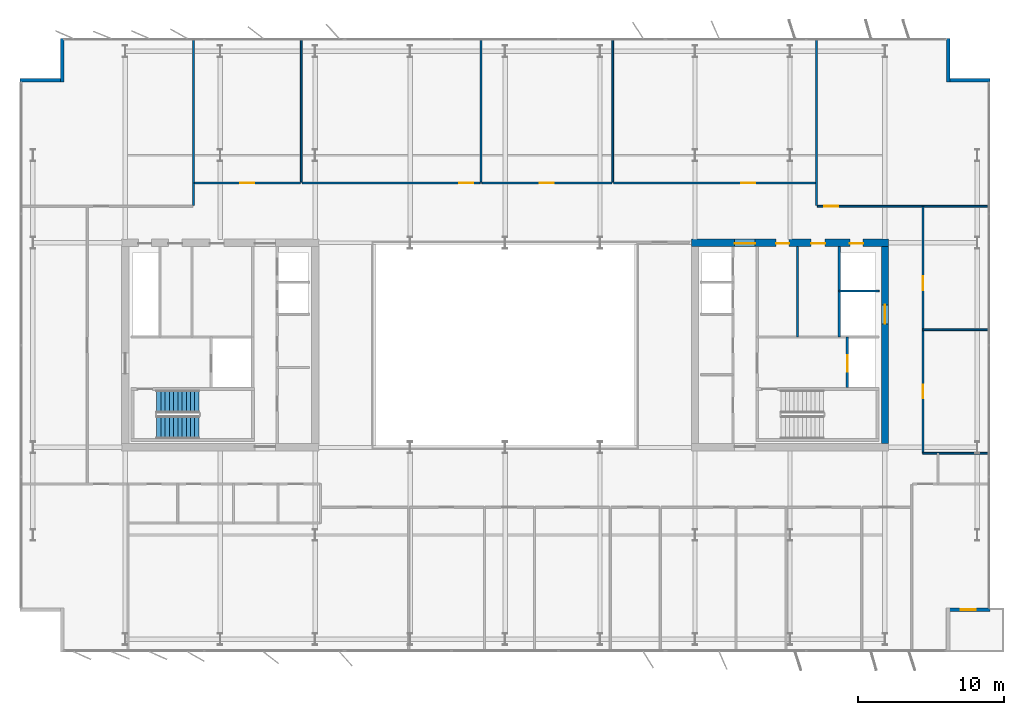
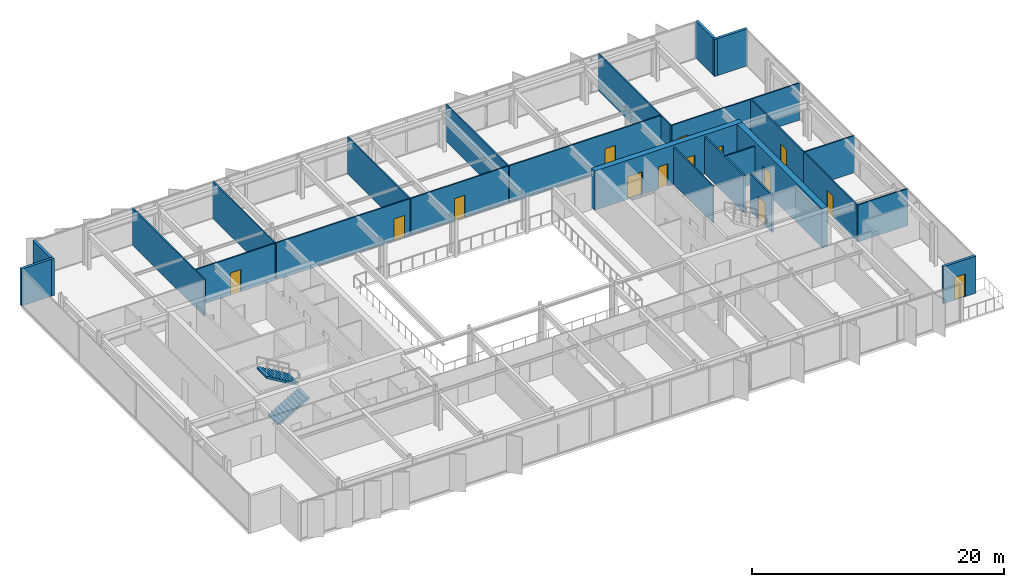
# One storey, part 19 of 24: 25 walls, 14 doors, 2 stair flights, 14 openings, 1 element without a shape of its own.
"""IFC4 building model written with IfcOpenShell, lengths in metres."""

from ifc_helpers import new_model, si_unit, direction, frame, frame_2d, origin, place, context, subcontext, project, spatial, polyline, rectangle, outline, extrude, material, layer, layer_set, type_object, element, fill, aggregate, save


model = new_model("IFC4")

# Units and contexts
model_context = context("Model", 3, precision=1e-05, world=origin(), true_north=direction((0.0, 1.0)))
body_context = subcontext(model_context, "Body", "Model", "MODEL_VIEW")
ifc_project = project(units=[si_unit("LENGTHUNIT", "METRE"), si_unit("AREAUNIT", "SQUARE_METRE"), si_unit("VOLUMEUNIT", "CUBIC_METRE"), si_unit("PLANEANGLEUNIT", "RADIAN"), si_unit("MASSUNIT", "GRAM", prefix="KILO")], contexts=[model_context])

# Site, building, storey
site_placement = place(None, origin())
site = spatial("IfcSite", under=ifc_project, at=site_placement, CompositionType="ELEMENT")
building_placement = place(site_placement, origin())
building = spatial("IfcBuilding", under=site, at=building_placement, Name="Putna Gate Headquarters", CompositionType="ELEMENT")
storey_placement = place(building_placement, frame((0.0, 0.0, 244.199951171875)))
storey = spatial("IfcBuildingStorey", under=building, at=storey_placement, Name="L61", CompositionType="ELEMENT", Elevation=244.199951171875)

# Wall, openings, doors
ifc_material_1 = material(Name="Concrete C50/60", Category="concrete")
ifc_layer_1 = layer(ifc_material_1, 0.5)
ifc_layer_set_1 = layer_set([ifc_layer_1], Name="Concrete C50/60")
wall_type_1 = type_object("IfcWallType", Name="WALL-CORE-500", PredefinedType="SHEAR", material=ifc_layer_set_1)
wall_1_placement = place(storey_placement, frame((51.75, 33.0, 0.0), z_axis=(0.0, 0.0, 1.0), x_axis=(1.0, 0.0, 0.0)))
wall_1 = element("IfcWall", 1, at=wall_1_placement, inside=storey, type_object=wall_type_1, Name="L61 EC Split Core Shear Wall N", PredefinedType="SHEAR", context=body_context, shape_type="SweptSolid", body=[
    extrude(rectangle(XDim=13.5, YDim=0.5, at=frame_2d((6.75, 0.0))), origin(), (0.0, 0.0, 1.0), 3.800048828125),
])
opening_1_placement = place(wall_1_placement, frame((2.969970703125, 0.0, 0.0)))
opening_1 = element("IfcOpeningElement", 2, at=opening_1_placement, cuts=wall_1, Name="Opening FDD-140", PredefinedType="OPENING", context=body_context, shape_type="SweptSolid", body=[
    extrude(rectangle(XDim=1.39990234375, YDim=2.199951171875, at=frame_2d((0.699951171875, 1.10009765625))), frame((0.0, 0.260009765625, 0.0), z_axis=(0.0, -1.0, 0.0), x_axis=(1.0, 0.0, 0.0)), (0.0, 0.0, 1.0), 0.52001953125),
])
opening_2_placement = place(wall_1_placement, frame((10.85009765625, 0.0, 0.0)))
opening_2 = element("IfcOpeningElement", 3, at=opening_2_placement, cuts=wall_1, Name="Opening RD-90", PredefinedType="OPENING", context=body_context, shape_type="SweptSolid", body=[
    extrude(rectangle(XDim=0.89990234375, YDim=2.14990234375, at=frame_2d((0.449951171875, 1.074951171875))), frame((0.0, 0.260009765625, 0.0), z_axis=(0.0, -1.0, 0.0), x_axis=(1.0, 0.0, 0.0)), (0.0, 0.0, 1.0), 0.52001953125),
])
opening_3_placement = place(wall_1_placement, frame((5.800048828125, 0.0, 0.0)))
opening_3 = element("IfcOpeningElement", 4, at=opening_3_placement, cuts=wall_1, Name="Opening IDS-90", PredefinedType="OPENING", context=body_context, shape_type="SweptSolid", body=[
    extrude(rectangle(XDim=0.89990234375, YDim=2.14990234375, at=frame_2d((0.449951171875, 1.074951171875))), frame((0.0, 0.260009765625, 0.0), z_axis=(0.0, -1.0, 0.0), x_axis=(1.0, 0.0, 0.0)), (0.0, 0.0, 1.0), 0.52001953125),
])
opening_4_placement = place(wall_1_placement, frame((8.199951171875, 0.0, 0.0)))
opening_4 = element("IfcOpeningElement", 5, at=opening_4_placement, cuts=wall_1, Name="Opening IDS-95", PredefinedType="OPENING", context=body_context, shape_type="SweptSolid", body=[
    extrude(rectangle(XDim=0.949951171875, YDim=2.14990234375, at=frame_2d((0.47509765625, 1.074951171875))), frame((0.0, 0.260009765625, 0.0), z_axis=(0.0, -1.0, 0.0), x_axis=(1.0, 0.0, 0.0)), (0.0, 0.0, 1.0), 0.52001953125),
])
ifc_material_2 = material(Name="Double steel fire door", Category="steel")
door_type_1 = type_object("IfcDoorType", Name="DOOR-FIRE-DBL-1400", OperationType="DOUBLE_DOOR_SINGLE_SWING", PredefinedType="DOOR", material=ifc_material_2)
door_1_placement = place(opening_1_placement, origin())
door_1 = element("IfcDoor", 6, at=door_1_placement, inside=storey, type_object=door_type_1, Name="L61 East Lift Lobby North Door", OperationType="DOUBLE_DOOR_SINGLE_SWING", OverallHeight=2.199951171875, OverallWidth=1.39990234375, PredefinedType="DOOR", context=body_context, shape_type="SweptSolid", body=[
    extrude(rectangle(XDim=1.39990234375, YDim=2.199951171875, at=frame_2d((0.699951171875, 1.10009765625))), frame((0.0, -0.02490234375, 0.0), z_axis=(0.0, -1.0, 0.0), x_axis=(1.0, 0.0, 0.0)), (0.0, 0.0, 1.0), 0.050048828125),
])
fill(opening_1, door_1)
ifc_material_3 = material(Name="Fire-rated utility door")
door_type_2 = type_object("IfcDoorType", Name="DOOR-INT-900", OperationType="NOTDEFINED", PredefinedType="DOOR", material=ifc_material_3)
door_2_placement = place(opening_3_placement, origin())
door_2 = element("IfcDoor", 7, at=door_2_placement, inside=storey, type_object=door_type_2, Name="L61 Telecoms Plant Door", OperationType="SINGLE_SWING_LEFT", OverallHeight=2.14990234375, OverallWidth=0.89990234375, PredefinedType="DOOR", context=body_context, shape_type="SweptSolid", body=[
    extrude(rectangle(XDim=0.89990234375, YDim=2.14990234375, at=frame_2d((0.449951171875, 1.074951171875))), frame((0.0, -0.02490234375, 0.0), z_axis=(0.0, -1.0, 0.0), x_axis=(1.0, 0.0, 0.0)), (0.0, 0.0, 1.0), 0.050048828125),
])
fill(opening_3, door_2)
ifc_material_4 = material(Name="Fire-rated service timber door", Category="wood")
door_type_3 = type_object("IfcDoorType", Name="DOOR-INT-950", OperationType="NOTDEFINED", PredefinedType="DOOR", material=ifc_material_4)
door_3_placement = place(opening_4_placement, origin())
door_3 = element("IfcDoor", 8, at=door_3_placement, inside=storey, type_object=door_type_3, Name="L61 Supplies Store Door", OperationType="SINGLE_SWING_RIGHT", OverallHeight=2.14990234375, OverallWidth=0.949951171875, PredefinedType="DOOR", context=body_context, shape_type="SweptSolid", body=[
    extrude(rectangle(XDim=0.949951171875, YDim=2.14990234375, at=frame_2d((0.47509765625, 1.074951171875))), frame((0.0, -0.02490234375, 0.0), z_axis=(0.0, -1.0, 0.0), x_axis=(1.0, 0.0, 0.0)), (0.0, 0.0, 1.0), 0.050048828125),
])
fill(opening_4, door_3)
ifc_material_5 = material(Name="Steel riser access fire door", Category="steel")
door_type_4 = type_object("IfcDoorType", Name="DOOR-RISER-900", OperationType="NOTDEFINED", PredefinedType="DOOR", material=ifc_material_5)
door_4_placement = place(opening_2_placement, origin())
door_4 = element("IfcDoor", 9, at=door_4_placement, inside=storey, type_object=door_type_4, Name="L61 East Riser Access Door", OperationType="SINGLE_SWING_LEFT", OverallHeight=2.14990234375, OverallWidth=0.89990234375, PredefinedType="DOOR", context=body_context, shape_type="SweptSolid", body=[
    extrude(rectangle(XDim=0.89990234375, YDim=2.14990234375, at=frame_2d((0.449951171875, 1.074951171875))), frame((0.0, -0.02490234375, 0.0), z_axis=(0.0, -1.0, 0.0), x_axis=(1.0, 0.0, 0.0)), (0.0, 0.0, 1.0), 0.050048828125),
])
fill(opening_2, door_4)

# Wall, opening, door
wall_2_placement = place(storey_placement, frame((65.0, 19.25, 0.0), z_axis=(0.0, 0.0, 1.0), x_axis=(0.0, 1.0, 0.0)))
wall_2 = element("IfcWall", 10, at=wall_2_placement, inside=storey, type_object=wall_type_1, Name="L61 EC Split Core Shear Wall E", PredefinedType="SHEAR", context=body_context, shape_type="SweptSolid", body=[
    extrude(rectangle(XDim=13.5, YDim=0.5, at=frame_2d((6.75, 0.0))), origin(), (0.0, 0.0, 1.0), 3.800048828125),
])
opening_5_placement = place(wall_2_placement, frame((8.199951171875, 0.0, 0.0)))
opening_5 = element("IfcOpeningElement", 11, at=opening_5_placement, cuts=wall_2, Name="Opening LD-2", PredefinedType="OPENING", context=body_context, shape_type="SweptSolid", body=[
    extrude(rectangle(XDim=1.300048828125, YDim=2.199951171875, at=frame_2d((0.64990234375, 1.10009765625))), frame((0.0, 0.260009765625, 0.0), z_axis=(0.0, -1.0, 0.0), x_axis=(1.0, 0.0, 0.0)), (0.0, 0.0, 1.0), 0.52001953125),
])
ifc_material_6 = material(Name="Heavy-duty goods lift sliding landing door")
door_type_5 = type_object("IfcDoorType", Name="DOOR-LIFT-1300", OperationType="DOUBLE_DOOR_SLIDING", PredefinedType="DOOR", material=ifc_material_6)
door_5_placement = place(opening_5_placement, origin())
door_5 = element("IfcDoor", 12, at=door_5_placement, inside=storey, type_object=door_type_5, Name="L61 Goods Lift Landing Door LD-15", OperationType="DOUBLE_DOOR_SLIDING", OverallHeight=2.199951171875, OverallWidth=1.300048828125, PredefinedType="DOOR", context=body_context, shape_type="SweptSolid", body=[
    extrude(rectangle(XDim=1.300048828125, YDim=2.199951171875, at=frame_2d((0.64990234375, 1.10009765625))), frame((0.0, 0.02490234375, 0.0), z_axis=(0.0, -1.0, 0.0), x_axis=(1.0, 0.0, 0.0)), (0.0, 0.0, 1.0), 0.050048828125),
])
fill(opening_5, door_5)

# Walls
ifc_material_7 = material(Name="Precast concrete C40/50", Category="concrete")
ifc_layer_2 = layer(ifc_material_7, 0.239990234375)
ifc_layer_set_2 = layer_set([ifc_layer_2], Name="Precast concrete C40/50")
wall_type_2 = type_object("IfcWallType", Name="WALL-EXT-TERR-240", PredefinedType="STANDARD", material=ifc_layer_set_2)
for number, where, z_axis, x_axis, name in (
    (13, (8.679931640625, 44.0, 0.0), (0.0, 0.0, 1.0), (0.0, 1.0, 0.0), "L61 Corner Notch Return Wall NW-V"),
    (14, (5.800048828125, 44.1201171875, 0.0), (0.0, 0.0, 1.0), (1.0, 0.0, 0.0), "L61 Corner Notch Return Wall NW-H"),
    (15, (69.320068359375, 47.0, 0.0), (0.0, 0.0, 1.0), (0.0, -1.0, 0.0), "L61 Corner Notch Return Wall NE-V"),
    (16, (69.199951171875, 44.1201171875, 0.0), (0.0, 0.0, 1.0), (1.0, 0.0, 0.0), "L61 Corner Notch Return Wall NE-H"),
):
    element("IfcWall", number, at=place(storey_placement, frame(where, z_axis=z_axis, x_axis=x_axis)), inside=storey, type_object=wall_type_2, Name=name, PredefinedType="STANDARD", context=body_context, shape_type="SweptSolid", body=[
        extrude(rectangle(XDim=3.0, YDim=0.239990234375, at=frame_2d((1.5, 0.0))), origin(), (0.0, 0.0, 1.0), 3.580078125),
    ])

# Wall, opening, door
wall_3_placement = place(storey_placement, frame((72.199951171875, 7.8798828125, 0.0), z_axis=(0.0, 0.0, 1.0), x_axis=(-1.0, 0.0, 0.0)))
wall_3 = element("IfcWall", 17, at=wall_3_placement, inside=storey, type_object=wall_type_2, Name="L61 Corner Notch Return Wall SE-H", PredefinedType="STANDARD", context=body_context, shape_type="SweptSolid", body=[
    extrude(rectangle(XDim=3.0, YDim=0.239990234375, at=frame_2d((1.5, 0.0))), origin(), (0.0, 0.0, 1.0), 3.580078125),
])
opening_6_placement = place(wall_3_placement, frame((1.0, 0.0, 0.0)))
opening_6 = element("IfcOpeningElement", 18, at=opening_6_placement, cuts=wall_3, Name="Opening TRD-1", PredefinedType="OPENING", context=body_context, shape_type="SweptSolid", body=[
    extrude(rectangle(XDim=1.0, YDim=2.199951171875, at=frame_2d((0.5, 1.10009765625))), frame((0.0, 0.1298828125, 0.0), z_axis=(0.0, -1.0, 0.0), x_axis=(1.0, 0.0, 0.0)), (0.0, 0.0, 1.0), 0.260009765625),
])
ifc_material_8 = material(Name="Thermally broken bronze glazed terrace door")
door_type_6 = type_object("IfcDoorType", Name="DOOR-TERR-EXT-1000", OperationType="NOTDEFINED", PredefinedType="DOOR", material=ifc_material_8)
door_6_placement = place(opening_6_placement, origin())
door_6 = element("IfcDoor", 19, at=door_6_placement, inside=storey, type_object=door_type_6, Name="L61 Spiral Sky Terrace Door SE", OperationType="SINGLE_SWING_RIGHT", OverallHeight=2.199951171875, OverallWidth=1.0, PredefinedType="DOOR", context=body_context, shape_type="SweptSolid", body=[
    extrude(rectangle(XDim=1.0, YDim=2.199951171875, at=frame_2d((0.5, 1.10009765625))), frame((0.0, 0.02490234375, 0.0), z_axis=(0.0, -1.0, 0.0), x_axis=(1.0, 0.0, 0.0)), (0.0, 0.0, 1.0), 0.050048828125),
])
fill(opening_6, door_6)

# Walls
ifc_material_9 = material(Name="Acoustic gypsum board on metal stud")
ifc_layer_3 = layer(ifc_material_9, 0.1201171875)
ifc_layer_set_3 = layer_set([ifc_layer_3], Name="Acoustic gypsum board on metal stud")
wall_type_3 = type_object("IfcWallType", Name="WALL-PART-120", PredefinedType="PARTITIONING", material=ifc_layer_set_3)
wall_4_placement = place(storey_placement, frame((17.682373046875, 35.56005859375, 0.0), z_axis=(0.0, 0.0, 1.0), x_axis=(0.0, 1.0, 0.0)))
element("IfcWall", 20, at=wall_4_placement, inside=storey, type_object=wall_type_3, Name="L61 Interior Wall PART-L61-NB-DIV-01", PredefinedType="PARTITIONING", context=body_context, shape_type="SweptSolid", body=[
    extrude(rectangle(XDim=11.419921875, YDim=0.1201171875, at=frame_2d((5.7099609375, 0.0))), origin(), (0.0, 0.0, 1.0), 3.580078125),
])
for number, where, z_axis, x_axis, name in (
    (21, (25.045654296875, 37.159912109375, 0.0), (0.0, 0.0, 1.0), (0.0, 1.0, 0.0), "L61 Interior Wall PART-L61-NB-DIV-02"),
    (22, (37.355712890625, 37.159912109375, 0.0), (0.0, 0.0, 1.0), (0.0, 1.0, 0.0), "L61 Interior Wall PART-L61-NB-DIV-03"),
    (23, (46.363525390625, 37.159912109375, 0.0), (0.0, 0.0, 1.0), (0.0, 1.0, 0.0), "L61 Interior Wall PART-L61-NB-DIV-04"),
):
    element("IfcWall", number, at=place(storey_placement, frame(where, z_axis=z_axis, x_axis=x_axis)), inside=storey, type_object=wall_type_3, Name=name, PredefinedType="PARTITIONING", context=body_context, shape_type="SweptSolid", body=[
        extrude(rectangle(XDim=9.820068359375, YDim=0.1201171875, at=frame_2d((4.91015625, 0.0))), origin(), (0.0, 0.0, 1.0), 3.580078125),
    ])
wall_5_placement = place(storey_placement, frame((60.317626953125, 35.56005859375, 0.0), z_axis=(0.0, 0.0, 1.0), x_axis=(0.0, 1.0, 0.0)))
element("IfcWall", 24, at=wall_5_placement, inside=storey, type_object=wall_type_3, Name="L61 Interior Wall PART-L61-NB-DIV-05", PredefinedType="PARTITIONING", context=body_context, shape_type="SweptSolid", body=[
    extrude(rectangle(XDim=11.419921875, YDim=0.1201171875, at=frame_2d((5.7099609375, 0.0))), origin(), (0.0, 0.0, 1.0), 3.580078125),
])
wall_6_placement = place(storey_placement, frame((67.60009765625, 27.050048828125, 0.0), z_axis=(0.0, 0.0, 1.0), x_axis=(1.0, 0.0, 0.0)))
element("IfcWall", 25, at=wall_6_placement, inside=storey, type_object=wall_type_3, Name="L61 Interior Wall PART-L61-EW-DIV-1", PredefinedType="PARTITIONING", context=body_context, shape_type="SweptSolid", body=[
    extrude(rectangle(XDim=4.579833984375, YDim=0.1201171875, at=frame_2d((2.2900390625, 0.0))), origin(), (0.0, 0.0, 1.0), 3.580078125),
])
ifc_material_10 = material(Name="Fire-rated shaftwall gypsum board on metal stud")
ifc_layer_4 = layer(ifc_material_10, 0.1201171875)
ifc_layer_set_4 = layer_set([ifc_layer_4], Name="Fire-rated shaftwall gypsum board on metal stud")
wall_type_4 = type_object("IfcWallType", Name="WALL-PART-120-EI120", PredefinedType="PARTITIONING", material=ifc_layer_set_4)
wall_7_placement = place(storey_placement, frame((61.8701171875, 29.699951171875, 0.0), z_axis=(0.0, 0.0, 1.0), x_axis=(1.0, 0.0, 0.0)))
element("IfcWall", 26, at=wall_7_placement, inside=storey, type_object=wall_type_4, Name="L61 Interior Wall CWINT-L61-EC-LF15-N", PredefinedType="PARTITIONING", context=body_context, shape_type="SweptSolid", body=[
    extrude(rectangle(XDim=2.72998046875, YDim=0.1201171875, at=frame_2d((1.364990234375, 0.0))), origin(), (0.0, 0.0, 1.0), 3.580078125),
])
ifc_material_11 = material(Name="Fire-rated gypsum board on metal stud")
ifc_layer_5 = layer(ifc_material_11, 0.1201171875)
ifc_layer_set_5 = layer_set([ifc_layer_5], Name="Fire-rated gypsum board on metal stud")
wall_type_5 = type_object("IfcWallType", Name="WALL-PART-120-RATED", PredefinedType="PARTITIONING", material=ifc_layer_set_5)
wall_8_placement = place(storey_placement, frame((59.02001953125, 26.56005859375, 0.0), z_axis=(0.0, 0.0, 1.0), x_axis=(0.0, 1.0, 0.0)))
element("IfcWall", 27, at=wall_8_placement, inside=storey, type_object=wall_type_5, Name="L61 Interior Wall CWINT-L61-EC-K1-DIV", PredefinedType="PARTITIONING", context=body_context, shape_type="SweptSolid", body=[
    extrude(rectangle(XDim=6.18994140625, YDim=0.1201171875, at=frame_2d((3.094970703125, 0.0))), origin(), (0.0, 0.0, 1.0), 3.580078125),
])

# Wall, opening, door
wall_9_placement = place(storey_placement, frame((17.7421875, 37.10009765625, 0.0), z_axis=(0.0, 0.0, 1.0), x_axis=(1.0, 0.0, 0.0)))
wall_9 = element("IfcWall", 28, at=wall_9_placement, inside=storey, type_object=wall_type_5, Name="L61 Interior Wall PART-L61-NB-CW-02", PredefinedType="PARTITIONING", context=body_context, shape_type="SweptSolid", body=[
    extrude(rectangle(XDim=7.243408203125, YDim=0.1201171875, at=frame_2d((3.62158203125, 0.0))), origin(), (0.0, 0.0, 1.0), 3.580078125),
])
opening_7_placement = place(wall_9_placement, frame((3.146728515625, 0.0, 0.0)))
opening_7 = element("IfcOpeningElement", 29, at=opening_7_placement, cuts=wall_9, Name="Opening FD-95", PredefinedType="OPENING", context=body_context, shape_type="SweptSolid", body=[
    extrude(rectangle(XDim=0.949951171875, YDim=2.14990234375, at=frame_2d((0.47509765625, 1.074951171875))), frame((0.0, 0.070068359375, 0.0), z_axis=(0.0, -1.0, 0.0), x_axis=(1.0, 0.0, 0.0)), (0.0, 0.0, 1.0), 0.14013671875),
])
ifc_material_12 = material(Name="Acoustic timber fire door", Category="wood")
door_type_7 = type_object("IfcDoorType", Name="DOOR-FIRE-950", OperationType="NOTDEFINED", PredefinedType="DOOR", material=ifc_material_12)
door_7_placement = place(opening_7_placement, origin())
door_7 = element("IfcDoor", 30, at=door_7_placement, inside=storey, type_object=door_type_7, Name="L61 Conference Meeting Room 4 Door", OperationType="SINGLE_SWING_LEFT", OverallHeight=2.14990234375, OverallWidth=0.949951171875, PredefinedType="DOOR", context=body_context, shape_type="SweptSolid", body=[
    extrude(rectangle(XDim=0.949951171875, YDim=2.14990234375, at=frame_2d((0.47509765625, 1.074951171875))), frame((0.0, 0.02490234375, 0.0), z_axis=(0.0, -1.0, 0.0), x_axis=(1.0, 0.0, 0.0)), (0.0, 0.0, 1.0), 0.050048828125),
])
fill(opening_7, door_7)

wall_10_placement = place(storey_placement, frame((25.105712890625, 37.10009765625, 0.0), z_axis=(0.0, 0.0, 1.0), x_axis=(1.0, 0.0, 0.0)))
wall_10 = element("IfcWall", 31, at=wall_10_placement, inside=storey, type_object=wall_type_5, Name="L61 Interior Wall PART-L61-NB-CW-03", PredefinedType="PARTITIONING", context=body_context, shape_type="SweptSolid", body=[
    extrude(rectangle(XDim=12.18994140625, YDim=0.1201171875, at=frame_2d((6.094970703125, 0.0))), origin(), (0.0, 0.0, 1.0), 3.580078125),
])
opening_8_placement = place(wall_10_placement, frame((10.760009765625, 0.0, 0.0)))
opening_8 = element("IfcOpeningElement", 32, at=opening_8_placement, cuts=wall_10, Name="Opening FD-95", PredefinedType="OPENING", context=body_context, shape_type="SweptSolid", body=[
    extrude(rectangle(XDim=0.949951171875, YDim=2.14990234375, at=frame_2d((0.47509765625, 1.074951171875))), frame((0.0, 0.070068359375, 0.0), z_axis=(0.0, -1.0, 0.0), x_axis=(1.0, 0.0, 0.0)), (0.0, 0.0, 1.0), 0.14013671875),
])
door_8_placement = place(opening_8_placement, origin())
door_8 = element("IfcDoor", 33, at=door_8_placement, inside=storey, type_object=door_type_7, Name="L61 Conference Meeting Room 5 Door", OperationType="SINGLE_SWING_RIGHT", OverallHeight=2.14990234375, OverallWidth=0.949951171875, PredefinedType="DOOR", context=body_context, shape_type="SweptSolid", body=[
    extrude(rectangle(XDim=0.949951171875, YDim=2.14990234375, at=frame_2d((0.47509765625, 1.074951171875))), frame((0.0, 0.02490234375, 0.0), z_axis=(0.0, -1.0, 0.0), x_axis=(1.0, 0.0, 0.0)), (0.0, 0.0, 1.0), 0.050048828125),
])
fill(opening_8, door_8)

wall_11_placement = place(storey_placement, frame((37.41552734375, 37.10009765625, 0.0), z_axis=(0.0, 0.0, 1.0), x_axis=(1.0, 0.0, 0.0)))
wall_11 = element("IfcWall", 34, at=wall_11_placement, inside=storey, type_object=wall_type_5, Name="L61 Interior Wall PART-L61-NB-CW-04", PredefinedType="PARTITIONING", context=body_context, shape_type="SweptSolid", body=[
    extrude(rectangle(XDim=8.887939453125, YDim=0.1201171875, at=frame_2d((4.44384765625, 0.0))), origin(), (0.0, 0.0, 1.0), 3.580078125),
])
opening_9_placement = place(wall_11_placement, frame((3.968994140625, 0.0, 0.0)))
opening_9 = element("IfcOpeningElement", 35, at=opening_9_placement, cuts=wall_11, Name="Opening FD-95", PredefinedType="OPENING", context=body_context, shape_type="SweptSolid", body=[
    extrude(rectangle(XDim=0.949951171875, YDim=2.14990234375, at=frame_2d((0.47509765625, 1.074951171875))), frame((0.0, 0.070068359375, 0.0), z_axis=(0.0, -1.0, 0.0), x_axis=(1.0, 0.0, 0.0)), (0.0, 0.0, 1.0), 0.14013671875),
])
door_9_placement = place(opening_9_placement, origin())
door_9 = element("IfcDoor", 36, at=door_9_placement, inside=storey, type_object=door_type_7, Name="L61 Conference Meeting Room 6 Door", OperationType="SINGLE_SWING_LEFT", OverallHeight=2.14990234375, OverallWidth=0.949951171875, PredefinedType="DOOR", context=body_context, shape_type="SweptSolid", body=[
    extrude(rectangle(XDim=0.949951171875, YDim=2.14990234375, at=frame_2d((0.47509765625, 1.074951171875))), frame((0.0, 0.02490234375, 0.0), z_axis=(0.0, -1.0, 0.0), x_axis=(1.0, 0.0, 0.0)), (0.0, 0.0, 1.0), 0.050048828125),
])
fill(opening_9, door_9)

wall_12_placement = place(storey_placement, frame((46.423583984375, 37.10009765625, 0.0), z_axis=(0.0, 0.0, 1.0), x_axis=(1.0, 0.0, 0.0)))
wall_12 = element("IfcWall", 37, at=wall_12_placement, inside=storey, type_object=wall_type_5, Name="L61 Interior Wall PART-L61-NB-CW-05", PredefinedType="PARTITIONING", context=body_context, shape_type="SweptSolid", body=[
    extrude(rectangle(XDim=13.834228515625, YDim=0.1201171875, at=frame_2d((6.9169921875, 0.0))), origin(), (0.0, 0.0, 1.0), 3.580078125),
])
opening_10_placement = place(wall_12_placement, frame((8.73388671875, 0.0, 0.0)))
opening_10 = element("IfcOpeningElement", 38, at=opening_10_placement, cuts=wall_12, Name="Opening FD-95", PredefinedType="OPENING", context=body_context, shape_type="SweptSolid", body=[
    extrude(rectangle(XDim=0.949951171875, YDim=2.14990234375, at=frame_2d((0.47509765625, 1.074951171875))), frame((0.0, 0.070068359375, 0.0), z_axis=(0.0, -1.0, 0.0), x_axis=(1.0, 0.0, 0.0)), (0.0, 0.0, 1.0), 0.14013671875),
])
door_10_placement = place(opening_10_placement, origin())
door_10 = element("IfcDoor", 39, at=door_10_placement, inside=storey, type_object=door_type_7, Name="L61 Collaborative Breakout Lounge 1 Door", OperationType="SINGLE_SWING_RIGHT", OverallHeight=2.14990234375, OverallWidth=0.949951171875, PredefinedType="DOOR", context=body_context, shape_type="SweptSolid", body=[
    extrude(rectangle(XDim=0.949951171875, YDim=2.14990234375, at=frame_2d((0.47509765625, 1.074951171875))), frame((0.0, 0.02490234375, 0.0), z_axis=(0.0, -1.0, 0.0), x_axis=(1.0, 0.0, 0.0)), (0.0, 0.0, 1.0), 0.050048828125),
])
fill(opening_10, door_10)

wall_13_placement = place(storey_placement, frame((60.377685546875, 35.5, 0.0), z_axis=(0.0, 0.0, 1.0), x_axis=(1.0, 0.0, 0.0)))
wall_13 = element("IfcWall", 40, at=wall_13_placement, inside=storey, type_object=wall_type_5, Name="L61 Interior Wall PART-L61-NB-CW-06", PredefinedType="PARTITIONING", context=body_context, shape_type="SweptSolid", body=[
    extrude(rectangle(XDim=11.642333984375, YDim=0.1201171875, at=frame_2d((5.8212890625, 0.0))), origin(), (0.0, 0.0, 1.0), 3.580078125),
])
opening_11_placement = place(wall_13_placement, frame((0.47998046875, 0.0, 0.0)))
opening_11 = element("IfcOpeningElement", 41, at=opening_11_placement, cuts=wall_13, Name="Opening FD-95", PredefinedType="OPENING", context=body_context, shape_type="SweptSolid", body=[
    extrude(rectangle(XDim=0.949951171875, YDim=2.14990234375, at=frame_2d((0.47509765625, 1.074951171875))), frame((0.0, 0.070068359375, 0.0), z_axis=(0.0, -1.0, 0.0), x_axis=(1.0, 0.0, 0.0)), (0.0, 0.0, 1.0), 0.14013671875),
])
door_11_placement = place(opening_11_placement, origin())
door_11 = element("IfcDoor", 42, at=door_11_placement, inside=storey, type_object=door_type_7, Name="L61 Conference Meeting Room 1 Door", OperationType="SINGLE_SWING_LEFT", OverallHeight=2.14990234375, OverallWidth=0.949951171875, PredefinedType="DOOR", context=body_context, shape_type="SweptSolid", body=[
    extrude(rectangle(XDim=0.949951171875, YDim=2.14990234375, at=frame_2d((0.47509765625, 1.074951171875))), frame((0.0, 0.02490234375, 0.0), z_axis=(0.0, -1.0, 0.0), x_axis=(1.0, 0.0, 0.0)), (0.0, 0.0, 1.0), 0.050048828125),
])
fill(opening_11, door_11)

# Wall
wall_14_placement = place(storey_placement, frame((67.60009765625, 18.60009765625, 0.0), z_axis=(0.0, 0.0, 1.0), x_axis=(1.0, 0.0, 0.0)))
element("IfcWall", 43, at=wall_14_placement, inside=storey, type_object=wall_type_5, Name="L61 Interior Wall PART-L61-EW-S-BOUND", PredefinedType="PARTITIONING", context=body_context, shape_type="SweptSolid", body=[
    extrude(rectangle(XDim=4.579833984375, YDim=0.1201171875, at=frame_2d((2.2900390625, 0.0))), origin(), (0.0, 0.0, 1.0), 3.580078125),
])

# Wall, opening, door
wall_15_placement = place(storey_placement, frame((67.60009765625, 18.60009765625, 0.0), z_axis=(0.0, 0.0, 1.0), x_axis=(0.0, 1.0, 0.0)))
wall_15 = element("IfcWall", 44, at=wall_15_placement, inside=storey, type_object=wall_type_5, Name="L61 Interior Wall PART-L61-EW-CW-1", PredefinedType="PARTITIONING", context=body_context, shape_type="SweptSolid", body=[
    extrude(rectangle(XDim=8.449951171875, YDim=0.1201171875, at=frame_2d((4.22509765625, 0.0))), origin(), (0.0, 0.0, 1.0), 3.580078125),
])
opening_12_placement = place(wall_15_placement, frame((3.75, 0.0, 0.0)))
opening_12 = element("IfcOpeningElement", 45, at=opening_12_placement, cuts=wall_15, Name="Opening FD-95", PredefinedType="OPENING", context=body_context, shape_type="SweptSolid", body=[
    extrude(rectangle(XDim=0.949951171875, YDim=2.14990234375, at=frame_2d((0.47509765625, 1.074951171875))), frame((0.0, 0.070068359375, 0.0), z_axis=(0.0, -1.0, 0.0), x_axis=(1.0, 0.0, 0.0)), (0.0, 0.0, 1.0), 0.14013671875),
])
door_12_placement = place(opening_12_placement, origin())
door_12 = element("IfcDoor", 46, at=door_12_placement, inside=storey, type_object=door_type_7, Name="L61 East Advisory Office 1 Door", OperationType="SINGLE_SWING_RIGHT", OverallHeight=2.14990234375, OverallWidth=0.949951171875, PredefinedType="DOOR", context=body_context, shape_type="SweptSolid", body=[
    extrude(rectangle(XDim=0.949951171875, YDim=2.14990234375, at=frame_2d((0.47509765625, 1.074951171875))), frame((0.0, 0.02490234375, 0.0), z_axis=(0.0, -1.0, 0.0), x_axis=(1.0, 0.0, 0.0)), (0.0, 0.0, 1.0), 0.050048828125),
])
fill(opening_12, door_12)

wall_16_placement = place(storey_placement, frame((67.60009765625, 27.050048828125, 0.0), z_axis=(0.0, 0.0, 1.0), x_axis=(0.0, 1.0, 0.0)))
wall_16 = element("IfcWall", 47, at=wall_16_placement, inside=storey, type_object=wall_type_5, Name="L61 Interior Wall PART-L61-EW-CW-2", PredefinedType="PARTITIONING", context=body_context, shape_type="SweptSolid", body=[
    extrude(rectangle(XDim=8.449951171875, YDim=0.1201171875, at=frame_2d((4.22509765625, 0.0))), origin(), (0.0, 0.0, 1.0), 3.580078125),
])
opening_13_placement = place(wall_16_placement, frame((2.699951171875, 0.0, 0.0)))
opening_13 = element("IfcOpeningElement", 48, at=opening_13_placement, cuts=wall_16, Name="Opening FD-95", PredefinedType="OPENING", context=body_context, shape_type="SweptSolid", body=[
    extrude(rectangle(XDim=0.949951171875, YDim=2.14990234375, at=frame_2d((0.47509765625, 1.074951171875))), frame((0.0, 0.070068359375, 0.0), z_axis=(0.0, -1.0, 0.0), x_axis=(1.0, 0.0, 0.0)), (0.0, 0.0, 1.0), 0.14013671875),
])
door_13_placement = place(opening_13_placement, origin())
door_13 = element("IfcDoor", 49, at=door_13_placement, inside=storey, type_object=door_type_7, Name="L61 East Horizon Conference Room 2 Door", OperationType="SINGLE_SWING_LEFT", OverallHeight=2.14990234375, OverallWidth=0.949951171875, PredefinedType="DOOR", context=body_context, shape_type="SweptSolid", body=[
    extrude(rectangle(XDim=0.949951171875, YDim=2.14990234375, at=frame_2d((0.47509765625, 1.074951171875))), frame((0.0, 0.02490234375, 0.0), z_axis=(0.0, -1.0, 0.0), x_axis=(1.0, 0.0, 0.0)), (0.0, 0.0, 1.0), 0.050048828125),
])
fill(opening_13, door_13)

ifc_material_13 = material(Name="Concrete C40/50", Category="concrete")
ifc_layer_6 = layer(ifc_material_13, 0.159912109375)
ifc_layer_set_6 = layer_set([ifc_layer_6], Name="Concrete C40/50")
wall_type_6 = type_object("IfcWallType", Name="WALL-SHAFT-160", PredefinedType="STANDARD", material=ifc_layer_set_6)
wall_17_placement = place(storey_placement, frame((62.429931640625, 23.090087890625, 0.0), z_axis=(0.0, 0.0, 1.0), x_axis=(0.0, 1.0, 0.0)))
wall_17 = element("IfcWall", 50, at=wall_17_placement, inside=storey, type_object=wall_type_6, Name="L61 Interior Wall CWINT-L61-EC-LF14-W", PredefinedType="STANDARD", context=body_context, shape_type="SweptSolid", body=[
    extrude(rectangle(XDim=3.469970703125, YDim=0.159912109375, at=frame_2d((1.73486328125, 0.0))), origin(), (0.0, 0.0, 1.0), 3.580078125),
])
opening_14_placement = place(wall_17_placement, frame((1.10009765625, 0.0, 0.0)))
opening_14 = element("IfcOpeningElement", 51, at=opening_14_placement, cuts=wall_17, Name="Opening LD-1", PredefinedType="OPENING", context=body_context, shape_type="SweptSolid", body=[
    extrude(rectangle(XDim=1.10009765625, YDim=2.199951171875, at=frame_2d((0.550048828125, 1.10009765625))), frame((0.0, 0.08984375, 0.0), z_axis=(0.0, -1.0, 0.0), x_axis=(1.0, 0.0, 0.0)), (0.0, 0.0, 1.0), 0.179931640625),
])
ifc_material_14 = material(Name="Brushed bronze stainless lift landing door")
door_type_8 = type_object("IfcDoorType", Name="DOOR-LIFT-1100", OperationType="DOUBLE_DOOR_SLIDING", PredefinedType="DOOR", material=ifc_material_14)
door_14_placement = place(opening_14_placement, origin())
door_14 = element("IfcDoor", 52, at=door_14_placement, inside=storey, type_object=door_type_8, Name="L61 Lift Landing Door LD-14", OperationType="DOUBLE_DOOR_SLIDING", OverallHeight=2.199951171875, OverallWidth=1.10009765625, PredefinedType="DOOR", context=body_context, shape_type="SweptSolid", body=[
    extrude(rectangle(XDim=1.10009765625, YDim=2.199951171875, at=frame_2d((0.550048828125, 1.10009765625))), frame((0.0, 0.02490234375, 0.0), z_axis=(0.0, -1.0, 0.0), x_axis=(1.0, 0.0, 0.0)), (0.0, 0.0, 1.0), 0.050048828125),
])
fill(opening_14, door_14)

# Wall
wall_18_placement = place(storey_placement, frame((61.8701171875, 26.56005859375, 0.0), z_axis=(0.0, 0.0, 1.0), x_axis=(0.0, 1.0, 0.0)))
element("IfcWall", 53, at=wall_18_placement, inside=storey, type_object=wall_type_6, Name="L61 Interior Wall CWINT-L61-EC-LF15-W", PredefinedType="STANDARD", context=body_context, shape_type="SweptSolid", body=[
    extrude(rectangle(XDim=6.18994140625, YDim=0.159912109375, at=frame_2d((3.094970703125, 0.0))), origin(), (0.0, 0.0, 1.0), 3.580078125),
])

# Stair, stair flights
stair_type = type_object("IfcStairType", Name="STAIR-ST1", PredefinedType="HALF_TURN_STAIR", material=ifc_material_13)
stair_placement = place(storey_placement, origin())
stair = element("IfcStair", 54, at=stair_placement, inside=storey, type_object=stair_type, Name="L61 West Core Exit Stair ST1", PredefinedType="HALF_TURN_STAIR")
stair_flight_type = type_object("IfcStairFlightType", Name="FLIGHT-ST1", PredefinedType="STRAIGHT", material=ifc_material_13)
stair_flight_1_placement = place(storey_placement, frame((15.14990234375, 20.375, 0.0), z_axis=(0.0, 0.0, 1.0), x_axis=(1.0, 0.0, 0.0)))
stair_flight_1 = element("IfcStairFlight", 55, at=stair_flight_1_placement, type_object=stair_flight_type, Name="ST1 flight 1", NumberOfRisers=11, NumberOfTreads=10, PredefinedType="STRAIGHT", RiserHeight=0.172727273, TreadLength=0.29, context=body_context, shape_type="SweptSolid", body=[
    extrude(outline(polyline([(0.0, 0.0), (0.0, 0.172607421875), (0.2900390625, 0.172607421875), (0.2900390625, 0.345458984375), (0.580078125, 0.345458984375), (0.580078125, 0.51806640625), (0.8701171875, 0.51806640625), (0.8701171875, 0.69091796875), (1.159912109375, 0.69091796875), (1.159912109375, 0.863525390625), (1.449951171875, 0.863525390625), (1.449951171875, 1.036376953125), (1.739990234375, 1.036376953125), (1.739990234375, 1.208984375), (2.030029296875, 1.208984375), (2.030029296875, 1.3818359375), (2.320068359375, 1.3818359375), (2.320068359375, 1.554443359375), (2.610107421875, 1.554443359375), (2.610107421875, 1.727294921875), (2.89990234375, 1.727294921875), (2.89990234375, 1.89990234375), (2.89990234375, 1.552734375), (0.29296875, 0.0), (0.0, 0.0)])), frame((0.0, 0.77490234375, 0.0), z_axis=(0.0, -1.0, 0.0), x_axis=(1.0, 0.0, 0.0)), (0.0, 0.0, 1.0), 1.550048828125),
])
stair_flight_2_placement = place(storey_placement, frame((18.050048828125, 22.125, 1.900146484375), z_axis=(0.0, 0.0, 1.0), x_axis=(-1.0, 0.0, 0.0)))
stair_flight_2 = element("IfcStairFlight", 56, at=stair_flight_2_placement, type_object=stair_flight_type, Name="ST1 flight 2", NumberOfRisers=11, NumberOfTreads=10, PredefinedType="STRAIGHT", RiserHeight=0.172727273, TreadLength=0.29, context=body_context, shape_type="SweptSolid", body=[
    extrude(outline(polyline([(0.0, 0.0), (0.0, 0.172607421875), (0.2900390625, 0.172607421875), (0.2900390625, 0.345458984375), (0.580078125, 0.345458984375), (0.580078125, 0.51806640625), (0.8701171875, 0.51806640625), (0.8701171875, 0.69091796875), (1.159912109375, 0.69091796875), (1.159912109375, 0.863525390625), (1.449951171875, 0.863525390625), (1.449951171875, 1.036376953125), (1.739990234375, 1.036376953125), (1.739990234375, 1.208984375), (2.030029296875, 1.208984375), (2.030029296875, 1.3818359375), (2.320068359375, 1.3818359375), (2.320068359375, 1.554443359375), (2.610107421875, 1.554443359375), (2.610107421875, 1.727294921875), (2.89990234375, 1.727294921875), (2.89990234375, 1.89990234375), (2.89990234375, 1.552734375), (0.29296875, 0.0), (0.0, 0.0)])), frame((0.0, 0.77490234375, 0.0), z_axis=(0.0, -1.0, 0.0), x_axis=(1.0, 0.0, 0.0)), (0.0, 0.0, 1.0), 1.550048828125),
])
aggregate(stair, [stair_flight_1, stair_flight_2])

save(model, "model.ifc")
